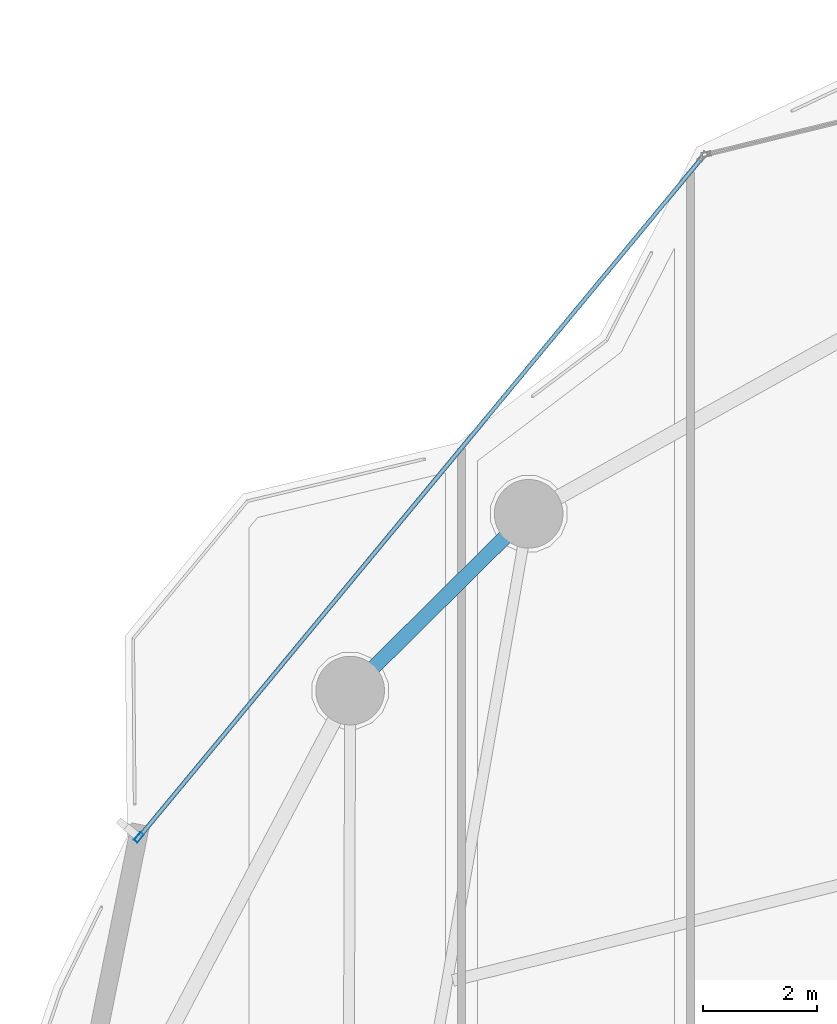
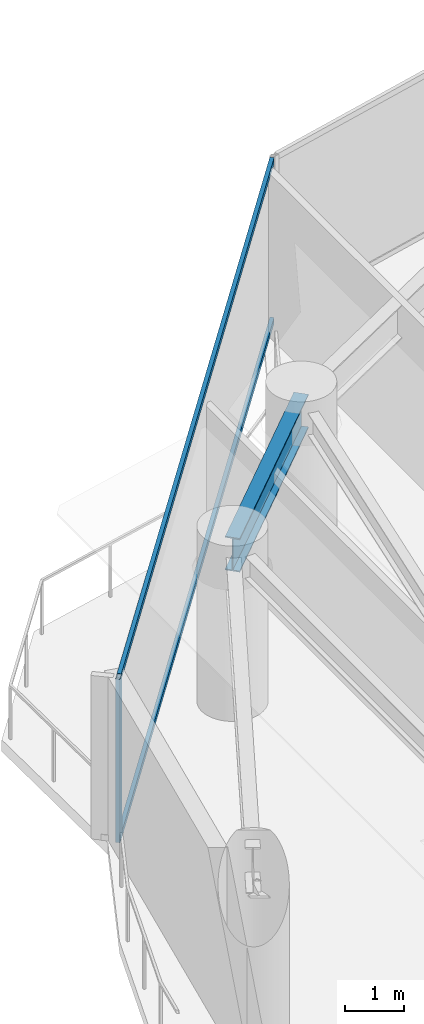
# One storey, part 16 of 28: 3 members, 1 beam, 1 element without a shape of its own.
"""IFC4 building model written with IfcOpenShell, lengths in metres."""

from ifc_helpers import new_model, si_unit, direction, frame, origin, origin_2d, place, context, subcontext, project, spatial, hollow_rectangle, i_section, extrude, material, layer, layer_set, material_profile, profile_set, type_object, element, aggregate, save


model = new_model("IFC4")

# Units and contexts
model_context = context("Model", 3, precision=1e-05, world=origin(), true_north=direction((0.0, 1.0)))
body_context = subcontext(model_context, "Body", "Model", "MODEL_VIEW")
ifc_project = project(units=[si_unit("LENGTHUNIT", "METRE"), si_unit("AREAUNIT", "SQUARE_METRE"), si_unit("VOLUMEUNIT", "CUBIC_METRE"), si_unit("PLANEANGLEUNIT", "RADIAN"), si_unit("MASSUNIT", "GRAM", prefix="KILO")], contexts=[model_context])

# Site, building, storey
site_placement = place(None, origin())
site = spatial("IfcSite", under=ifc_project, at=site_placement, CompositionType="ELEMENT")
building_placement = place(site_placement, origin())
building = spatial("IfcBuilding", under=site, at=building_placement, Name="Kazevale Care Tower and Concert Hall", CompositionType="ELEMENT")
storey_placement = place(building_placement, frame((0.0, 0.0, 106.199951171875)))
storey = spatial("IfcBuildingStorey", under=building, at=storey_placement, Name="L27", CompositionType="ELEMENT", Elevation=106.199951171875)

# Curtain wall, members
ifc_material_1 = material(Name="Aluminium 6063-T6 and Low-E Glass", Category="aluminium")
ifc_layer = layer(ifc_material_1, 0.179931640625)
ifc_layer_set = layer_set([ifc_layer], Name="Aluminium 6063-T6 and Low-E Glass")
curtain_wall_type = type_object("IfcCurtainWallType", Name="Convex Checkerboard Finned Curtain Wall CW-2", PredefinedType="NOTDEFINED", material=ifc_layer_set)
curtain_wall_placement = place(storey_placement, origin())
curtain_wall = element("IfcCurtainWall", 1, at=curtain_wall_placement, inside=storey, type_object=curtain_wall_type, Name="cw:L27:f14", PredefinedType="NOTDEFINED")
ifc_material_2 = material(Name="Aluminium 6063-T6", Category="aluminium")
ifc_material_profile_1 = material_profile(ifc_material_2, hollow_rectangle(XDim=0.080078125, YDim=0.179931640625, WallThickness=0.0048828125, at=origin_2d()), Name="ALU80x180x5")
ifc_profile_set_1 = profile_set([ifc_material_profile_1], Name="Aluminium 6063-T6")
member_type_1 = type_object("IfcMemberType", Name="CW-2 Mullion ALU80x180x5", PredefinedType="MULLION", material=ifc_profile_set_1)
member_1_placement = place(storey_placement, frame((18.357421875, 48.923828125, 0.0), z_axis=(0.0, 0.0, 1.0), x_axis=(-0.770049579196, 0.637984048061, 0.0)))
member_1 = element("IfcMember", 2, at=member_1_placement, type_object=member_type_1, Name="CW-2 mullion 1", PredefinedType="MULLION", context=body_context, shape_type="SweptSolid", body=[
    extrude(hollow_rectangle(XDim=0.080078125, YDim=0.179931640625, WallThickness=0.0048828125, at=origin_2d()), origin(), (0.0, 0.0, 1.0), 3.360107421875),
])
ifc_material_profile_2 = material_profile(ifc_material_2, hollow_rectangle(XDim=0.074951171875, YDim=0.1201171875, WallThickness=0.00390625, at=origin_2d()), Name="ALU75x120x4")
ifc_profile_set_2 = profile_set([ifc_material_profile_2], Name="Aluminium 6063-T6")
member_type_2 = type_object("IfcMemberType", Name="CW-2 Transom ALU75x120x4", PredefinedType="USERDEFINED", material=ifc_profile_set_2)
member_2_placement = place(storey_placement, frame((18.383056640625, 48.95458984375, 0.03759765625), z_axis=(0.637986649499, 0.770047423904, 0.0), x_axis=(-0.770047423904, 0.637986649499, 0.0)))
member_2 = element("IfcMember", 3, at=member_2_placement, type_object=member_type_2, Name="CW-2 transom 1.1", ObjectType="TRANSOM", PredefinedType="USERDEFINED", context=body_context, shape_type="SweptSolid", body=[
    extrude(hollow_rectangle(XDim=0.074951171875, YDim=0.1201171875, WallThickness=0.00390625, at=origin_2d()), origin(), (0.0, 0.0, 1.0), 15.3701171875),
])
member_3_placement = place(storey_placement, frame((18.383056640625, 48.95458984375, 3.322509765625), z_axis=(0.637986649499, 0.770047423904, 0.0), x_axis=(-0.770047423904, 0.637986649499, 0.0)))
member_3 = element("IfcMember", 4, at=member_3_placement, type_object=member_type_2, Name="CW-2 transom 1.2", ObjectType="TRANSOM", PredefinedType="USERDEFINED", context=body_context, shape_type="SweptSolid", body=[
    extrude(hollow_rectangle(XDim=0.074951171875, YDim=0.1201171875, WallThickness=0.00390625, at=origin_2d()), origin(), (0.0, 0.0, 1.0), 15.3701171875),
])
aggregate(curtain_wall, [member_1, member_2, member_3])

# Beam
ifc_material_3 = material(Name="Steel ASTM A572 Gr 50", Category="steel")
ifc_material_profile_3 = material_profile(ifc_material_3, i_section(OverallWidth=0.256103515625, OverallDepth=0.693115234375, WebThickness=0.014404296875, FlangeThickness=0.023681640625, at=origin_2d()), Name="W690x170")
ifc_profile_set_3 = profile_set([ifc_material_profile_3], Name="Steel ASTM A572 Gr 50")
beam_type = type_object("IfcBeamType", Name="Waist Ring Beam W690x170", PredefinedType="BEAM", material=ifc_profile_set_3)
beam_placement = place(storey_placement, frame((25.169921875, 54.580078125, 3.013427734375), z_axis=(-0.710490141585, -0.703707154085, 0.0), x_axis=(0.703707154085, -0.710490141585, 0.0)))
element("IfcBeam", 5, at=beam_placement, inside=storey, type_object=beam_type, Name="beam:L27:ring:07", PredefinedType="BEAM", context=body_context, shape_type="SweptSolid", body=[
    extrude(i_section(OverallWidth=0.256103515625, OverallDepth=0.693115234375, WebThickness=0.014404296875, FlangeThickness=0.023681640625, at=origin_2d()), origin(), (0.0, 0.0, 1.0), 4.39111328125),
])

save(model, "model.ifc")
